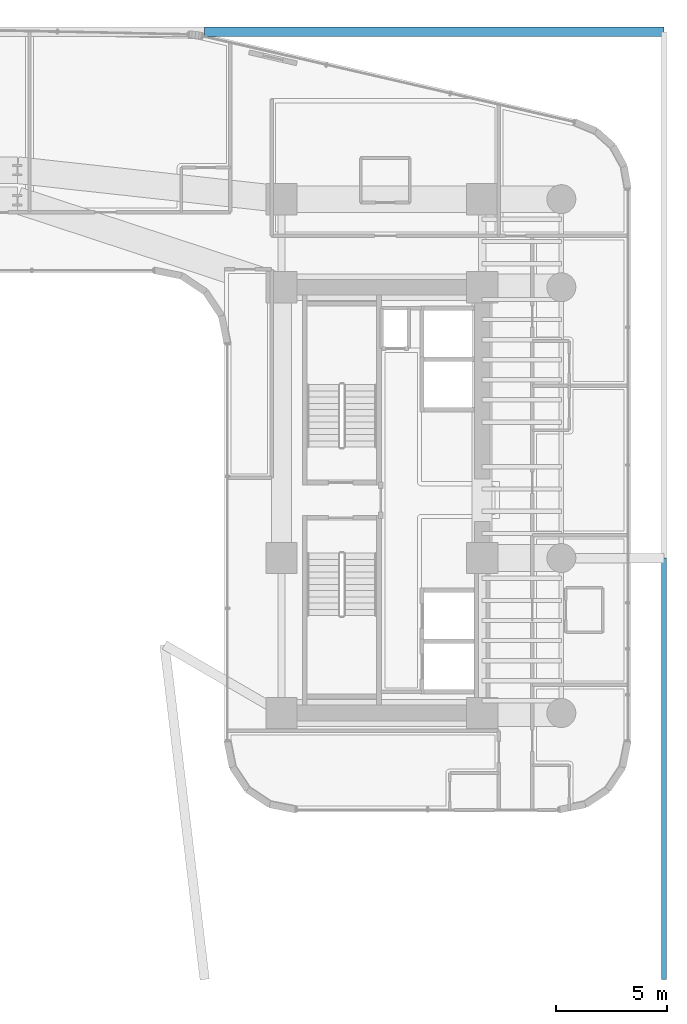
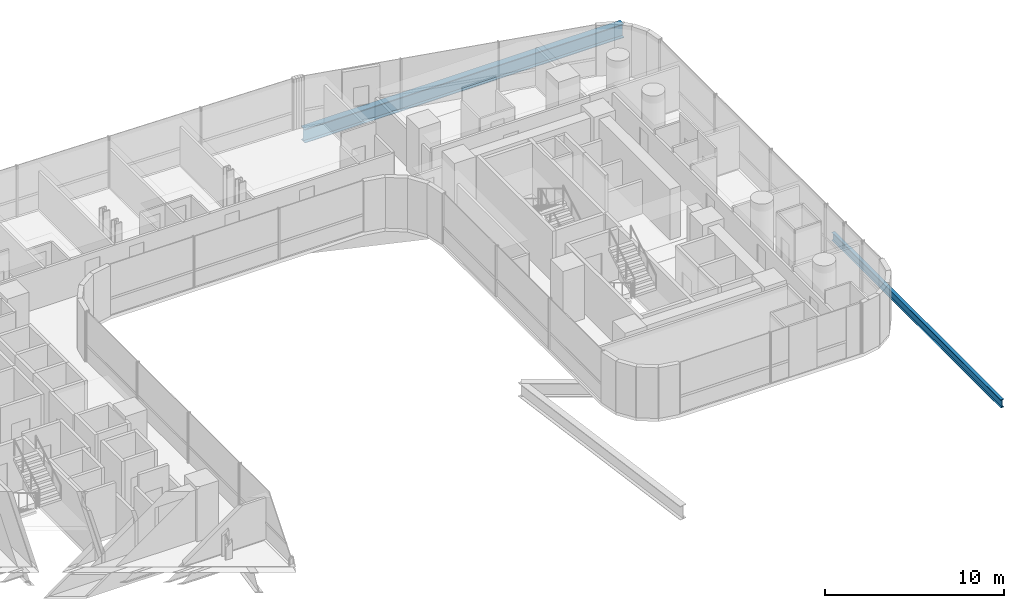
# One storey, part 30 of 50: 2 beams.
"""IFC4 building model written with IfcOpenShell, lengths in metres."""

from ifc_helpers import new_model, si_unit, direction, frame, origin, origin_2d, place, context, subcontext, project, spatial, i_section, extrude, source, transform, mapped, material, material_profile, profile_set, type_object, element, save


model = new_model("IFC4")

# Units and contexts
model_context = context("Model", 3, precision=1e-05, world=origin(), true_north=direction((0.0, 1.0)))
body_context = subcontext(model_context, "Body", "Model", "MODEL_VIEW")
ifc_project = project(units=[si_unit("LENGTHUNIT", "METRE"), si_unit("AREAUNIT", "SQUARE_METRE"), si_unit("VOLUMEUNIT", "CUBIC_METRE"), si_unit("PLANEANGLEUNIT", "RADIAN"), si_unit("MASSUNIT", "GRAM", prefix="KILO")], contexts=[model_context])

# Site, building, storey
site_placement = place(None, origin())
site = spatial("IfcSite", under=ifc_project, at=site_placement, CompositionType="ELEMENT")
building_placement = place(site_placement, origin())
building = spatial("IfcBuilding", under=site, at=building_placement, Name="Valdorenza Pilgrim Sanctuary Tower", CompositionType="ELEMENT")
storey_placement = place(building_placement, frame((0.0, 0.0, 26.0)))
storey = spatial("IfcBuildingStorey", under=building, at=storey_placement, Name="L05", CompositionType="ELEMENT", Elevation=26.0)

# Beams
ifc_material = material(Name="Steel ASTM A992 Grade 50", Category="steel")
ifc_material_profile_1 = material_profile(ifc_material, i_section(OverallWidth=0.214111328125, OverallDepth=0.549072265625, WebThickness=0.0146484375, FlangeThickness=0.023681640625, at=origin_2d()), Name="W21X93")
ifc_profile_set_1 = profile_set([ifc_material_profile_1], Name="Steel ASTM A992 Grade 50")
beam_type_1 = type_object("IfcBeamType", Name="STR-BM-SPN-W21A", PredefinedType="SPANDREL", material=ifc_profile_set_1)
shared_shape_1 = source(origin(), body_context, "Body", "SweptSolid", [
    extrude(i_section(OverallWidth=0.214111328125, OverallDepth=0.549072265625, WebThickness=0.0146484375, FlangeThickness=0.023681640625, at=origin_2d()), origin(), (0.0, 0.0, 1.0), 18.89990234375),
])
beam_1_placement = place(storey_placement, frame((33.0, -21.5, -0.514404296875), z_axis=(0.0, 1.0, 0.0), x_axis=(-1.0, 0.0, 0.0)))
element("IfcBeam", 1, at=beam_1_placement, inside=storey, type_object=beam_type_1, Name="L05 Floor Girder POD-SPN-ES", PredefinedType="SPANDREL", context=body_context, shape_type="MappedRepresentation", body=[
    mapped(shared_shape_1, transform((0.0, 0.0, 0.0), x_axis=(1.0, 0.0, 0.0), y_axis=(0.0, 1.0, 0.0), z_axis=(0.0, 0.0, 1.0), scale=1.0)),
])
ifc_material_profile_2 = material_profile(ifc_material, i_section(OverallWidth=0.423095703125, OverallDepth=0.947998046875, WebThickness=0.02392578125, FlangeThickness=0.042724609375, at=origin_2d()), Name="W36X302")
ifc_profile_set_2 = profile_set([ifc_material_profile_2], Name="Steel ASTM A992 Grade 50")
beam_type_2 = type_object("IfcBeamType", Name="STR-BM-GRD-W36A", PredefinedType="BEAM", material=ifc_profile_set_2)
shared_shape_2 = source(origin(), body_context, "Body", "SweptSolid", [
    extrude(i_section(OverallWidth=0.423095703125, OverallDepth=0.947998046875, WebThickness=0.02392578125, FlangeThickness=0.042724609375, at=origin_2d()), origin(), (0.0, 0.0, 1.0), 20.60009765625),
])
beam_2_placement = place(storey_placement, frame((12.39990234375, 21.0, -0.714111328125), z_axis=(1.0, 0.0, 0.0), x_axis=(0.0, 1.0, 0.0)))
element("IfcBeam", 2, at=beam_2_placement, inside=storey, type_object=beam_type_2, Name="L05 Floor Girder POD-N-TIE3", PredefinedType="BEAM", context=body_context, shape_type="MappedRepresentation", body=[
    mapped(shared_shape_2, transform((0.0, 0.0, 0.0), x_axis=(1.0, 0.0, 0.0), y_axis=(0.0, 1.0, 0.0), z_axis=(0.0, 0.0, 1.0), scale=1.0)),
])

save(model, "model.ifc")
